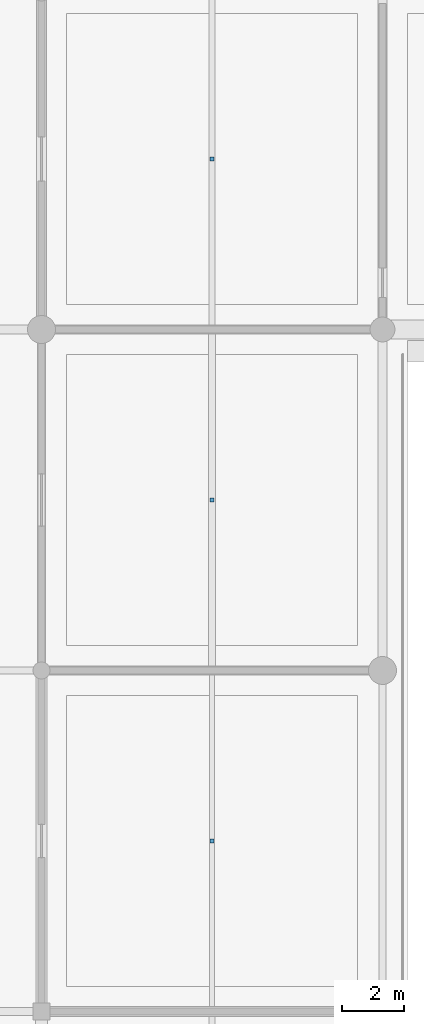
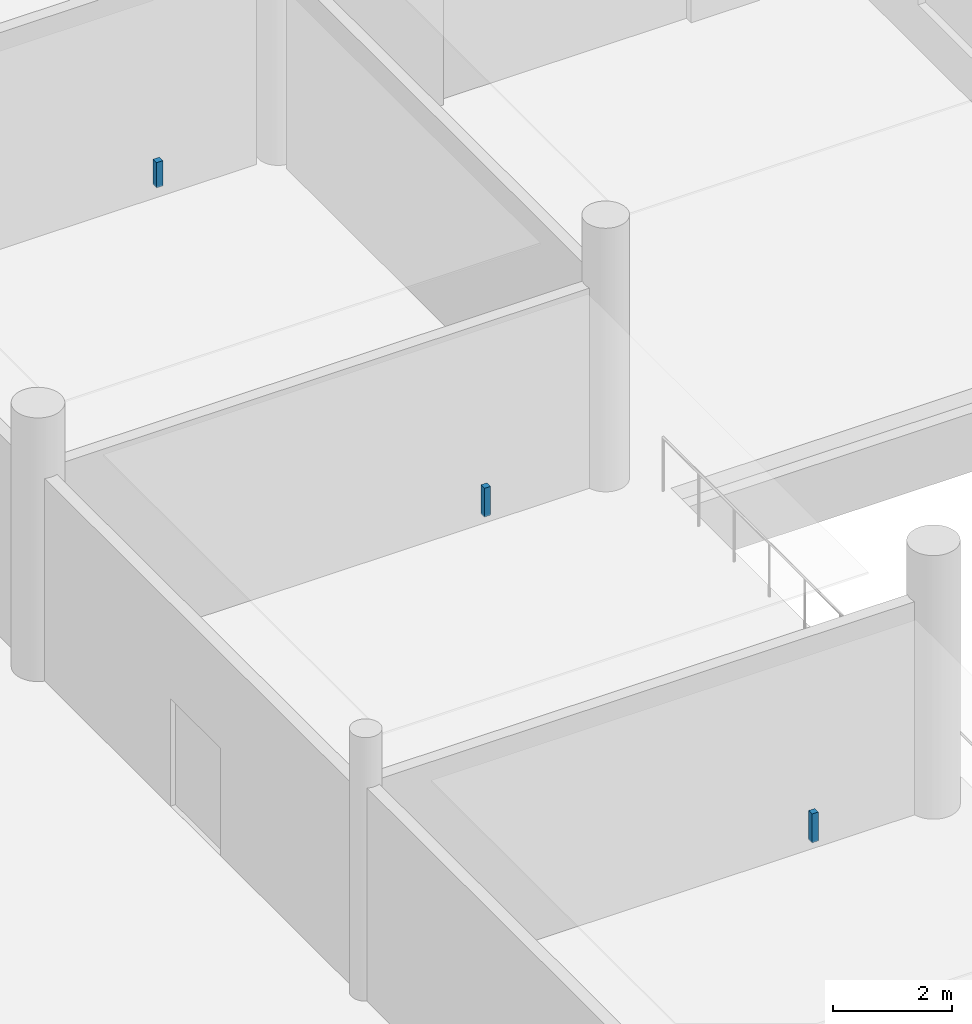
# One storey, part 89 of 120: 3 discrete accessories.
"""IFC4 building model written with IfcOpenShell, lengths in metres."""

from ifc_helpers import new_model, si_unit, direction, frame, origin, origin_2d, place, context, subcontext, project, spatial, rectangle, extrude, material, layer, layer_set, type_object, element, save


model = new_model("IFC4")

# Units and contexts
model_context = context("Model", 3, precision=1e-05, world=origin(), true_north=direction((0.0, 1.0)))
body_context = subcontext(model_context, "Body", "Model", "MODEL_VIEW")
ifc_project = project(units=[si_unit("LENGTHUNIT", "METRE"), si_unit("AREAUNIT", "SQUARE_METRE"), si_unit("VOLUMEUNIT", "CUBIC_METRE"), si_unit("PLANEANGLEUNIT", "RADIAN"), si_unit("MASSUNIT", "GRAM", prefix="KILO")], contexts=[model_context])

# Site, building, storey
site_placement = place(None, origin())
site = spatial("IfcSite", under=ifc_project, at=site_placement, CompositionType="ELEMENT")
building_placement = place(site_placement, origin())
building = spatial("IfcBuilding", under=site, at=building_placement, Name="Luwafu Chhajja Arena", CompositionType="ELEMENT")
storey_placement = place(building_placement, origin())
storey = spatial("IfcBuildingStorey", under=building, at=storey_placement, Name="L00", CompositionType="ELEMENT", Elevation=0.0)

# Discrete accessories
ifc_material = material(Name="Stainless steel bracket", Category="steel")
ifc_layer = layer(ifc_material, 0.179931640625, Name="Stainless steel bracket")
ifc_layer_set = layer_set([ifc_layer], Name="Stainless steel bracket")
discrete_accessory_type = type_object("IfcDiscreteAccessoryType", Name="Stainless Steel Facade Support Bracket", PredefinedType="BRACKET", material=ifc_layer_set)
discrete_accessory_1_placement = place(storey_placement, frame((181.5, 93.5, 4.519287109375), z_axis=(0.0, 0.0, 1.0), x_axis=(1.0, 0.0, 0.0)))
element("IfcDiscreteAccessory", 1, at=discrete_accessory_1_placement, inside=storey, type_object=discrete_accessory_type, Name="L00 Ceiling Suspension Hanger 020", PredefinedType="BRACKET", context=body_context, shape_type="SweptSolid", body=[
    extrude(rectangle(XDim=0.1201171875, YDim=0.1201171875, at=origin_2d()), origin(), (0.0, 0.0, 1.0), 0.5908203125),
])
discrete_accessory_2_placement = place(storey_placement, frame((181.5, 104.5, 4.52294921875), z_axis=(0.0, 0.0, 1.0), x_axis=(1.0, 0.0, 0.0)))
element("IfcDiscreteAccessory", 2, at=discrete_accessory_2_placement, inside=storey, type_object=discrete_accessory_type, Name="L00 Ceiling Suspension Hanger 021", PredefinedType="BRACKET", context=body_context, shape_type="SweptSolid", body=[
    extrude(rectangle(XDim=0.1201171875, YDim=0.1201171875, at=origin_2d()), origin(), (0.0, 0.0, 1.0), 0.587158203125),
])
discrete_accessory_3_placement = place(storey_placement, frame((181.5, 115.5, 4.59619140625), z_axis=(0.0, 0.0, 1.0), x_axis=(1.0, 0.0, 0.0)))
element("IfcDiscreteAccessory", 3, at=discrete_accessory_3_placement, inside=storey, type_object=discrete_accessory_type, Name="L00 Ceiling Suspension Hanger 022", PredefinedType="BRACKET", context=body_context, shape_type="SweptSolid", body=[
    extrude(rectangle(XDim=0.1201171875, YDim=0.1201171875, at=origin_2d()), origin(), (0.0, 0.0, 1.0), 0.513916015625),
])

save(model, "model.ifc")
